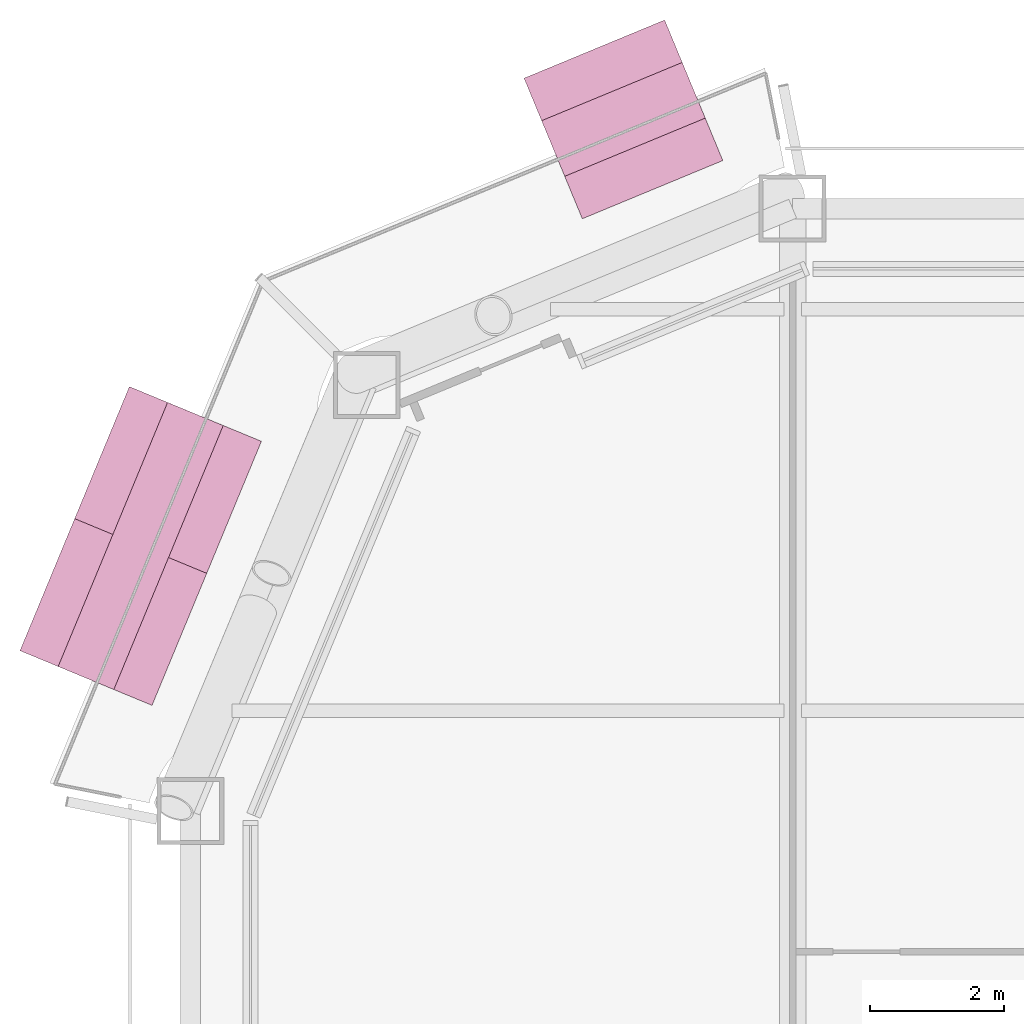
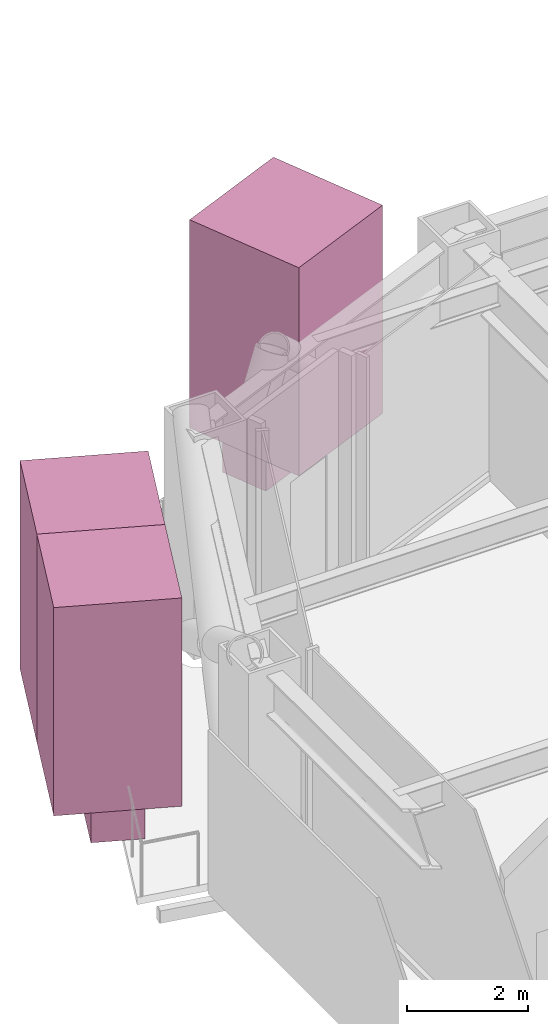
# One storey, part 29 of 29: 5 furnishings.
"""IFC4 building model written with IfcOpenShell, lengths in metres."""

from ifc_helpers import new_model, si_unit, direction, frame, origin, origin_2d, place, context, subcontext, project, spatial, rectangle, extrude, material, type_object, element, save


model = new_model("IFC4")

# Units and contexts
model_context = context("Model", 3, precision=1e-05, world=origin(), true_north=direction((0.0, 1.0)))
body_context = subcontext(model_context, "Body", "Model", "MODEL_VIEW")
ifc_project = project(units=[si_unit("LENGTHUNIT", "METRE"), si_unit("AREAUNIT", "SQUARE_METRE"), si_unit("VOLUMEUNIT", "CUBIC_METRE"), si_unit("PLANEANGLEUNIT", "RADIAN"), si_unit("MASSUNIT", "GRAM", prefix="KILO")], contexts=[model_context])

# Site, building, storey
site_placement = place(None, origin())
site = spatial("IfcSite", under=ifc_project, at=site_placement, CompositionType="ELEMENT")
building_placement = place(site_placement, origin())
building = spatial("IfcBuilding", under=site, at=building_placement, Name="Siwar Civic Tower", CompositionType="ELEMENT")
storey_placement = place(building_placement, frame((0.0, 0.0, 67.199951171875)))
storey = spatial("IfcBuildingStorey", under=building, at=storey_placement, Name="L14", CompositionType="ELEMENT", Elevation=67.199951171875)

# Furnishings
ifc_material_1 = material(Name="Planting soil and foliage")
furnishing_element_type_1 = type_object("IfcFurnishingElementType", Name="ENV-PLANTER", material=ifc_material_1)
furnishing_1_placement = place(storey_placement, frame((-25.0283203125, 32.833984375, 0.0), z_axis=(0.0, 0.0, 1.0), x_axis=(-0.923879532511, -0.382683432365, 0.0)))
element("IfcFurnishingElement", 1, at=furnishing_1_placement, inside=storey, type_object=furnishing_element_type_1, Name="PLANTER NW 1", context=body_context, shape_type="SweptSolid", body=[
    extrude(rectangle(XDim=2.273193359375, YDim=0.89990234375, at=origin_2d()), origin(), (0.0, 0.0, 1.0), 0.60009765625),
])
furnishing_2_placement = place(storey_placement, frame((-32.240966796875, 26.460205078125, 0.0), z_axis=(0.0, 0.0, 1.0), x_axis=(-0.382683432365, -0.923879532511, 0.0)))
element("IfcFurnishingElement", 2, at=furnishing_2_placement, inside=storey, type_object=furnishing_element_type_1, Name="PLANTER NW 2", context=body_context, shape_type="SweptSolid", body=[
    extrude(rectangle(XDim=4.270751953125, YDim=0.89990234375, at=origin_2d()), origin(), (0.0, 0.0, 1.0), 0.60009765625),
])
ifc_material_2 = material(Name="Planting soil and foliage")
furnishing_element_type_2 = type_object("IfcFurnishingElementType", Name="ENV-TREE", material=ifc_material_2)
furnishing_3_placement = place(storey_placement, frame((-25.0283203125, 32.833984375, 0.60009765625), z_axis=(0.0, 0.0, 1.0), x_axis=(-0.923879532511, -0.382683432365, 0.0)))
element("IfcFurnishingElement", 3, at=furnishing_3_placement, inside=storey, type_object=furnishing_element_type_2, Name="PLANTER (TREE) NW 1.1", context=body_context, shape_type="SweptSolid", body=[
    extrude(rectangle(XDim=2.273193359375, YDim=2.273193359375, at=origin_2d()), origin(), (0.0, 0.0, 1.0), 4.199951171875),
])
for number, where, z_axis, x_axis, name in (
    (4, (-31.832275390625, 27.44677734375, 0.60009765625), (0.0, 0.0, 1.0), (-0.382683432365, -0.923879532511, 0.0), "PLANTER (TREE) NW 2.1"),
    (5, (-32.6494140625, 25.473876953125, 0.60009765625), (0.0, 0.0, 1.0), (-0.382683432365, -0.923879532511, 0.0), "PLANTER (TREE) NW 2.2"),
):
    element("IfcFurnishingElement", number, at=place(storey_placement, frame(where, z_axis=z_axis, x_axis=x_axis)), inside=storey, type_object=furnishing_element_type_2, Name=name, context=body_context, shape_type="SweptSolid", body=[
        extrude(rectangle(XDim=2.13525390625, YDim=2.13525390625, at=origin_2d()), origin(), (0.0, 0.0, 1.0), 4.199951171875),
    ])

save(model, "model.ifc")
